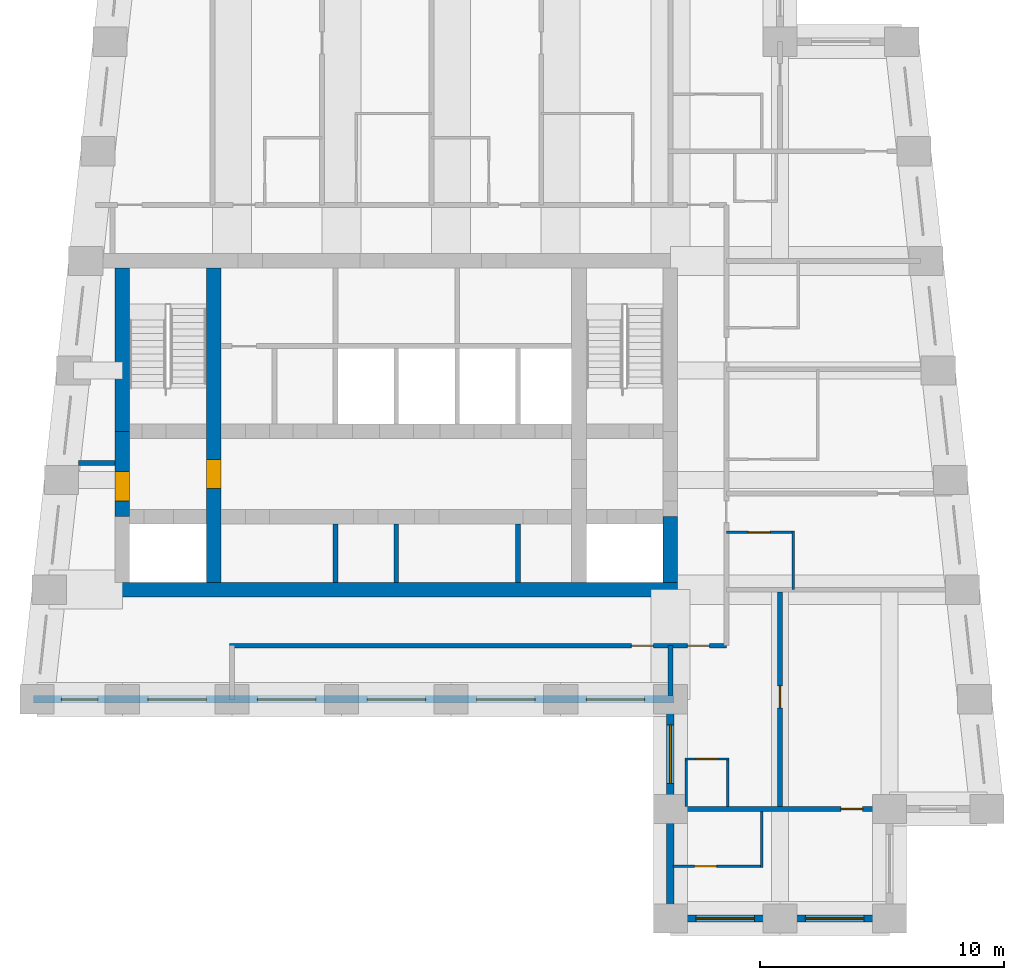
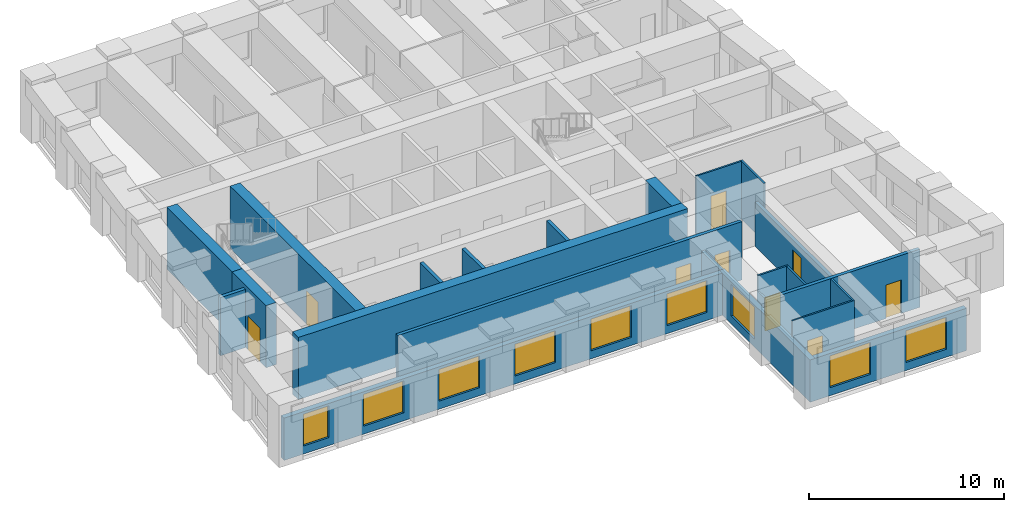
# One storey, part 2 of 7: 23 walls, 9 doors, 9 windows, 18 openings.
"""IFC4 building model written with IfcOpenShell, lengths in metres."""

import ifcopenshell
import ifcopenshell.guid

model = None  # the IFC model being written
_history = None  # IfcOwnerHistory: only IFC2X3 demands one
_inside = {}  # id of a spatial element -> (the spatial element, [elements in it])
_under = {}  # id of a project, library or spatial element -> (it, [spatial elements below it])
_declared = {}  # id of a project -> (the project, [libraries it declares])
_typed = {}  # id of a type object -> (the type object, [elements of that type])
_made_of = {}  # id of a material, layer set ... -> (it, [elements and type objects made of it])


def new_model(schema):
    """Start an empty IFC model of exactly this schema.

    Asked for "IFC4X3", IfcOpenShell would pick the latest addendum, in which some entities
    have other attributes; the version numbers below select the first issue.
    IFC2X3 requires an IfcOwnerHistory on every rooted entity: one is made here for all.
    """
    global model, _history
    if schema == "IFC4X3":
        model = ifcopenshell.file(schema_version=(4, 3, 0, 0))
    else:
        model = ifcopenshell.file(schema=schema)
    _inside.clear()
    _under.clear()
    _declared.clear()
    _typed.clear()
    _made_of.clear()
    _history = None
    if model.schema == "IFC2X3":
        org = make("IfcOrganization", Name="unknown")
        user = make(
            "IfcPersonAndOrganization",
            ThePerson=make("IfcPerson", FamilyName="unknown"),
            TheOrganization=org,
        )
        app = make(
            "IfcApplication",
            ApplicationDeveloper=org,
            Version="unknown",
            ApplicationFullName="unknown",
            ApplicationIdentifier="unknown",
        )
        _history = make(
            "IfcOwnerHistory",
            OwningUser=user,
            OwningApplication=app,
            ChangeAction="ADDED",
            CreationDate=0,
        )
    return model


def make(cls, **values):
    """One entity of the class cls with the attributes given. An attribute that is None is left unset."""
    return model.create_entity(
        cls, **{name: value for name, value in values.items() if value is not None}
    )


def rooted(cls, **values):
    """An entity with a GlobalId (a new one), such as an element, a storey or a relation."""
    return make(cls, GlobalId=ifcopenshell.guid.new(), OwnerHistory=_history, **values)


def si_unit(unit_type, name, prefix=None):
    """IfcSIUnit, for example si_unit("LENGTHUNIT", "METRE", prefix="MILLI")."""
    return make("IfcSIUnit", UnitType=unit_type, Prefix=prefix, Name=name)


def assignment(units):
    """IfcUnitAssignment: the units of a project."""
    return None if units is None else make("IfcUnitAssignment", Units=units)


def point(xyz):
    """IfcCartesianPoint."""
    return None if xyz is None else make("IfcCartesianPoint", Coordinates=xyz)


def direction(xyz):
    """IfcDirection."""
    return None if xyz is None else make("IfcDirection", DirectionRatios=xyz)


def frame(location, z_axis=None, x_axis=None):
    """IfcAxis2Placement3D, a coordinate frame: its origin and axes. An axis left out is left unset."""
    return make(
        "IfcAxis2Placement3D",
        Location=point(location),
        Axis=direction(z_axis),
        RefDirection=direction(x_axis),
    )


def frame_2d(location, x_axis=None):
    """IfcAxis2Placement2D, a coordinate frame in the plane: its origin and x axis."""
    return make(
        "IfcAxis2Placement2D", Location=point(location), RefDirection=direction(x_axis)
    )


def origin():
    """The frame at (0, 0, 0) with its axes left unset."""
    return frame((0.0, 0.0, 0.0))


def place(relative_to, where):
    """IfcLocalPlacement: puts the frame where relative to a parent placement (None: the world)."""
    return make(
        "IfcLocalPlacement", PlacementRelTo=relative_to, RelativePlacement=where
    )


def context(
    kind, dimensions, precision=None, world=None, true_north=None, identifier=None
):
    """IfcGeometricRepresentationContext, for example the 3D "Model" context."""
    return make(
        "IfcGeometricRepresentationContext",
        ContextIdentifier=identifier,
        ContextType=kind,
        CoordinateSpaceDimension=dimensions,
        Precision=precision,
        WorldCoordinateSystem=world,
        TrueNorth=true_north,
    )


def subcontext(parent, identifier, kind, view, scale=None):
    """IfcGeometricRepresentationSubContext, for example "Body" below "Model"."""
    return make(
        "IfcGeometricRepresentationSubContext",
        ContextIdentifier=identifier,
        ContextType=kind,
        ParentContext=parent,
        TargetScale=scale,
        TargetView=view,
    )


def project(units=None, contexts=None):
    """IfcProject with its units and contexts."""
    return rooted(
        "IfcProject",
        Name="project",
        RepresentationContexts=contexts,
        UnitsInContext=assignment(units),
    )


def spatial(cls, under=None, at=None, **own):
    """A site, building, storey or space (cls), placed at a placement, below another one or the project."""
    s = rooted(cls, ObjectPlacement=at, **own)
    if under is not None:
        _under.setdefault(under.id(), (under, []))[1].append(s)
    return s


def profile(cls, at=None, kind="AREA", **sizes):
    """A parametric profile (cls). Its sizes go by their IFC names, for example OverallWidth=200.0."""
    return make(cls, ProfileType=kind, Position=at, **sizes)


def rectangle(**sizes):
    """IfcRectangleProfileDef."""
    return profile("IfcRectangleProfileDef", **sizes)


def extrude(swept, where, along, depth):
    """IfcExtrudedAreaSolid: the profile swept, set in the frame where, extruded along a direction by depth."""
    return make(
        "IfcExtrudedAreaSolid",
        SweptArea=swept,
        Position=where,
        ExtrudedDirection=direction(along),
        Depth=depth,
    )


def shape(context_of_items, identifier, shape_type, items):
    """IfcShapeRepresentation: the items that make up one representation, for example the "Body"."""
    return make(
        "IfcShapeRepresentation",
        ContextOfItems=context_of_items,
        RepresentationIdentifier=identifier,
        RepresentationType=shape_type,
        Items=items,
    )


def material(Name=None, Category=None):
    """IfcMaterial."""
    return make("IfcMaterial", Name=Name, Category=Category)


def layer(
    of_material, thickness, ventilated=None, Name=None, Category=None, Priority=None
):
    """IfcMaterialLayer: one layer of a wall or slab, of a material (None: an air gap)."""
    return make(
        "IfcMaterialLayer",
        Material=of_material,
        LayerThickness=thickness,
        IsVentilated=ventilated,
        Name=Name,
        Category=Category,
        Priority=Priority,
    )


def layer_set(layers, Name=None):
    """IfcMaterialLayerSet."""
    return make("IfcMaterialLayerSet", MaterialLayers=layers, LayerSetName=Name)


def made_of(thing, what):
    """Note that an element or type object is made of a material, layer set ...; save() writes the relation."""
    if what is not None:
        _made_of.setdefault(what.id(), (what, []))[1].append(thing)
    return thing


def type_object(cls, material=None, **own):
    """A type object (cls), such as IfcWallType, which elements share."""
    return made_of(rooted(cls, **own), material)


def element(
    cls,
    number,
    at=None,
    inside=None,
    cuts=None,
    type_object=None,
    material=None,
    context=None,
    identifier="Body",
    shape_type=None,
    held_by="IfcProductDefinitionShape",
    body=None,
    shapes=None,
    **own,
):
    """One element of the class cls, such as IfcWall. Its Tag is "e" and its number.

    at: its placement. inside: the storey or other place that contains it. cuts: it is an
    opening in that element (IfcRelVoidsElement). A single representation is given by context,
    identifier, shape_type and body (its items); several are given by shapes. held_by: the class
    of the entity that holds the representations. save() writes the other relations.
    """
    e = rooted(cls, Tag="e%d" % number, ObjectPlacement=at, **own)
    if body is not None:
        shapes = [shape(context, identifier, shape_type, body)]
    if shapes is not None:
        e.Representation = make(held_by, Representations=shapes)
    if inside is not None:
        _inside.setdefault(inside.id(), (inside, []))[1].append(e)
    if cuts is not None:
        rooted(
            "IfcRelVoidsElement", RelatingBuildingElement=cuts, RelatedOpeningElement=e
        )
    if type_object is not None:
        _typed.setdefault(type_object.id(), (type_object, []))[1].append(e)
    return made_of(e, material)


def fill(opening, filler):
    """IfcRelFillsElement: the door or window that sits in an opening."""
    return rooted(
        "IfcRelFillsElement",
        RelatingOpeningElement=opening,
        RelatedBuildingElement=filler,
    )


def aggregate(whole, parts):
    """IfcRelAggregates: a whole, such as a stair, and the parts it consists of."""
    return rooted("IfcRelAggregates", RelatingObject=whole, RelatedObjects=parts)


def save(model, path):
    """Write the relations noted so far, then the file.

    IfcRelAggregates (storeys below a building ...), IfcRelContainedInSpatialStructure (elements
    in a storey), IfcRelDefinesByType, IfcRelAssociatesMaterial and IfcRelDeclares: one each for
    every whole, place, type object, material and project.
    """
    for whole, parts in _under.values():
        aggregate(whole, parts)
    for where, things in _inside.values():
        rooted(
            "IfcRelContainedInSpatialStructure",
            RelatedElements=things,
            RelatingStructure=where,
        )
    for kind, things in _typed.values():
        rooted("IfcRelDefinesByType", RelatedObjects=things, RelatingType=kind)
    for what, things in _made_of.values():
        rooted("IfcRelAssociatesMaterial", RelatedObjects=things, RelatingMaterial=what)
    for by, libraries in _declared.values():
        rooted("IfcRelDeclares", RelatingContext=by, RelatedDefinitions=libraries)
    model.write(path)


model = new_model("IFC4")

# Units and contexts
model_context = context("Model", 3, precision=1e-05, world=origin(), true_north=direction((0.0, 1.0)))
body_context = subcontext(model_context, "Body", "Model", "MODEL_VIEW")
ifc_project = project(units=[si_unit("LENGTHUNIT", "METRE"), si_unit("AREAUNIT", "SQUARE_METRE"), si_unit("VOLUMEUNIT", "CUBIC_METRE"), si_unit("PLANEANGLEUNIT", "RADIAN"), si_unit("MASSUNIT", "GRAM", prefix="KILO")], contexts=[model_context])

# Site, building, storey
site_placement = place(None, origin())
site = spatial("IfcSite", under=ifc_project, at=site_placement, CompositionType="ELEMENT")
building_placement = place(site_placement, origin())
building = spatial("IfcBuilding", under=site, at=building_placement, Name="Kilele Tower Hotel", CompositionType="ELEMENT")
storey_placement = place(building_placement, frame((0.0, 0.0, 266.300048828125)))
storey = spatial("IfcBuildingStorey", under=building, at=storey_placement, Name="L68", CompositionType="ELEMENT", Elevation=266.300048828125)

# Wall
ifc_material_1 = material(Name="Moisture-resistant board")
ifc_layer_1 = layer(ifc_material_1, 0.10009765625)
ifc_layer_set_1 = layer_set([ifc_layer_1], Name="Moisture-resistant board")
wall_type_1 = type_object("IfcWallType", Name="Bathroom partition 100", PredefinedType="PLUMBINGWALL", material=ifc_layer_set_1)
wall_1_placement = place(storey_placement, frame((41.050048828125, 13.5, 0.0), z_axis=(0.0, 0.0, 1.0), x_axis=(0.0, 1.0, 0.0)))
element("IfcWall", 1, at=wall_1_placement, inside=storey, type_object=wall_type_1, Name="Bathroom partition 100 L68", PredefinedType="PLUMBINGWALL", context=body_context, shape_type="SweptSolid", body=[
    extrude(rectangle(XDim=2.39990234375, YDim=0.10009765625, at=frame_2d((1.199951171875, 0.0))), origin(), (0.0, 0.0, 1.0), 3.64990234375),
])

# Wall, opening, door
wall_2_placement = place(storey_placement, frame((38.300048828125, 15.85009765625, 0.0), z_axis=(0.0, 0.0, 1.0), x_axis=(1.0, 0.0, 0.0)))
wall_2 = element("IfcWall", 2, at=wall_2_placement, inside=storey, type_object=wall_type_1, Name="Bathroom partition 100 L68", PredefinedType="PLUMBINGWALL", context=body_context, shape_type="SweptSolid", body=[
    extrude(rectangle(XDim=2.800048828125, YDim=0.10009765625, at=frame_2d((1.39990234375, 0.0))), origin(), (0.0, 0.0, 1.0), 3.64990234375),
])
opening_1_placement = place(wall_2_placement, frame((0.89990234375, 0.0, 0.0)))
opening_1 = element("IfcOpeningElement", 3, at=opening_1_placement, cuts=wall_2, Name="Opening D2A", PredefinedType="OPENING", context=body_context, shape_type="SweptSolid", body=[
    extrude(rectangle(XDim=0.89990234375, YDim=2.10009765625, at=frame_2d((0.449951171875, 1.050048828125))), frame((0.0, 0.06005859375, 0.0), z_axis=(0.0, -1.0, 0.0), x_axis=(1.0, 0.0, 0.0)), (0.0, 0.0, 1.0), 0.1201171875),
])
ifc_material_2 = material(Name="Timber door leaf in hardwood frame", Category="wood")
door_type_1 = type_object("IfcDoorType", Name="Bathroom door 900", OperationType="SINGLE_SWING_LEFT", PredefinedType="DOOR", material=ifc_material_2)
door_1_placement = place(opening_1_placement, origin())
door_1 = element("IfcDoor", 4, at=door_1_placement, inside=storey, type_object=door_type_1, Name="Bathroom door 6803B", OperationType="SINGLE_SWING_LEFT", OverallHeight=2.10009765625, OverallWidth=0.89990234375, PredefinedType="DOOR", context=body_context, shape_type="SweptSolid", body=[
    extrude(rectangle(XDim=0.89990234375, YDim=2.10009765625, at=frame_2d((0.449951171875, 1.050048828125))), frame((0.0, 0.02490234375, 0.0), z_axis=(0.0, -1.0, 0.0), x_axis=(1.0, 0.0, 0.0)), (0.0, 0.0, 1.0), 0.050048828125),
])
fill(opening_1, door_1)

# Walls
wall_3_placement = place(storey_placement, frame((38.35009765625, 4.60009765625, 0.0), z_axis=(0.0, 0.0, 1.0), x_axis=(0.0, 1.0, 0.0)))
element("IfcWall", 5, at=wall_3_placement, inside=storey, type_object=wall_type_1, Name="Bathroom partition 100 L68", PredefinedType="PLUMBINGWALL", context=body_context, shape_type="SweptSolid", body=[
    extrude(rectangle(XDim=2.0, YDim=0.10009765625, at=frame_2d((1.0, 0.0))), origin(), (0.0, 0.0, 1.0), 3.64990234375),
])
wall_4_placement = place(storey_placement, frame((36.64990234375, 4.60009765625, 0.0), z_axis=(0.0, 0.0, 1.0), x_axis=(0.0, 1.0, 0.0)))
element("IfcWall", 6, at=wall_4_placement, inside=storey, type_object=wall_type_1, Name="Bathroom partition 100 L68", PredefinedType="PLUMBINGWALL", context=body_context, shape_type="SweptSolid", body=[
    extrude(rectangle(XDim=2.0, YDim=0.10009765625, at=frame_2d((1.0, 0.0))), origin(), (0.0, 0.0, 1.0), 2.64990234375),
])

# Wall, opening, door
wall_5_placement = place(storey_placement, frame((36.60009765625, 6.550048828125, 0.0), z_axis=(0.0, 0.0, 1.0), x_axis=(1.0, 0.0, 0.0)))
wall_5 = element("IfcWall", 7, at=wall_5_placement, inside=storey, type_object=wall_type_1, Name="Bathroom partition 100 L68", PredefinedType="PLUMBINGWALL", context=body_context, shape_type="SweptSolid", body=[
    extrude(rectangle(XDim=1.7998046875, YDim=0.10009765625, at=frame_2d((0.89990234375, 0.0))), origin(), (0.0, 0.0, 1.0), 3.64990234375),
])
opening_2_placement = place(wall_5_placement, frame((0.449951171875, 0.0, 0.0)))
opening_2 = element("IfcOpeningElement", 8, at=opening_2_placement, cuts=wall_5, Name="Opening D2A", PredefinedType="OPENING", context=body_context, shape_type="SweptSolid", body=[
    extrude(rectangle(XDim=0.89990234375, YDim=2.10009765625, at=frame_2d((0.449951171875, 1.050048828125))), frame((0.0, 0.06005859375, 0.0), z_axis=(0.0, -1.0, 0.0), x_axis=(1.0, 0.0, 0.0)), (0.0, 0.0, 1.0), 0.1201171875),
])
door_2_placement = place(opening_2_placement, origin())
door_2 = element("IfcDoor", 9, at=door_2_placement, inside=storey, type_object=door_type_1, Name="Bathroom door 6811P", OperationType="SINGLE_SWING_LEFT", OverallHeight=2.10009765625, OverallWidth=0.89990234375, PredefinedType="DOOR", context=body_context, shape_type="SweptSolid", body=[
    extrude(rectangle(XDim=0.89990234375, YDim=2.10009765625, at=frame_2d((0.449951171875, 1.050048828125))), frame((0.0, 0.02490234375, 0.0), z_axis=(0.0, -1.0, 0.0), x_axis=(1.0, 0.0, 0.0)), (0.0, 0.0, 1.0), 0.050048828125),
])
fill(opening_2, door_2)

# Wall
wall_6_placement = place(storey_placement, frame((39.75, 4.39990234375, 0.0), z_axis=(0.0, 0.0, 1.0), x_axis=(0.0, -1.0, 0.0)))
element("IfcWall", 10, at=wall_6_placement, inside=storey, type_object=wall_type_1, Name="Bathroom partition 100 L68", PredefinedType="PLUMBINGWALL", context=body_context, shape_type="SweptSolid", body=[
    extrude(rectangle(XDim=2.2998046875, YDim=0.10009765625, at=frame_2d((1.14990234375, 0.0))), origin(), (0.0, 0.0, 1.0), 3.64990234375),
])

# Wall, opening, door
wall_7_placement = place(storey_placement, frame((36.10009765625, 2.14990234375, 0.0), z_axis=(0.0, 0.0, 1.0), x_axis=(1.0, 0.0, 0.0)))
wall_7 = element("IfcWall", 11, at=wall_7_placement, inside=storey, type_object=wall_type_1, Name="Bathroom partition 100 L68", PredefinedType="PLUMBINGWALL", context=body_context, shape_type="SweptSolid", body=[
    extrude(rectangle(XDim=3.699951171875, YDim=0.10009765625, at=frame_2d((1.85009765625, 0.0))), origin(), (0.0, 0.0, 1.0), 3.64990234375),
])
opening_3_placement = place(wall_7_placement, frame((1.7998046875, 0.0, 0.0), z_axis=(0.0, 0.0, 1.0), x_axis=(-1.0, 0.0, 0.0)))
opening_3 = element("IfcOpeningElement", 12, at=opening_3_placement, cuts=wall_7, Name="Opening D2A", PredefinedType="OPENING", context=body_context, shape_type="SweptSolid", body=[
    extrude(rectangle(XDim=0.89990234375, YDim=2.10009765625, at=frame_2d((0.449951171875, 1.050048828125))), frame((0.0, 0.06005859375, 0.0), z_axis=(0.0, -1.0, 0.0), x_axis=(1.0, 0.0, 0.0)), (0.0, 0.0, 1.0), 0.1201171875),
])
door_3_placement = place(opening_3_placement, origin())
door_3 = element("IfcDoor", 13, at=door_3_placement, inside=storey, type_object=door_type_1, Name="Bathroom door 6813B", OperationType="SINGLE_SWING_RIGHT", OverallHeight=2.10009765625, OverallWidth=0.89990234375, PredefinedType="DOOR", context=body_context, shape_type="SweptSolid", body=[
    extrude(rectangle(XDim=0.89990234375, YDim=2.10009765625, at=frame_2d((0.449951171875, 1.050048828125))), frame((0.0, 0.02490234375, 0.0), z_axis=(0.0, -1.0, 0.0), x_axis=(1.0, 0.0, 0.0)), (0.0, 0.0, 1.0), 0.050048828125),
])
fill(opening_3, door_3)

# Wall
ifc_material_3 = material(Name="Concrete C60/75", Category="concrete")
ifc_layer_2 = layer(ifc_material_3, 0.60009765625)
ifc_layer_set_2 = layer_set([ifc_layer_2], Name="Concrete C60/75")
wall_type_2 = type_object("IfcWallType", Name="Core wall 600 C60/75", PredefinedType="SHEAR", material=ifc_layer_set_2)
wall_8_placement = place(storey_placement, frame((13.199951171875, 13.5, 0.0), z_axis=(0.0, 0.0, 1.0), x_axis=(1.0, 0.0, 0.0)))
element("IfcWall", 14, at=wall_8_placement, inside=storey, type_object=wall_type_2, Name="Core wall S L68", PredefinedType="SHEAR", context=body_context, shape_type="SweptSolid", body=[
    extrude(rectangle(XDim=23.10009765625, YDim=0.60009765625, at=frame_2d((11.550048828125, 0.0))), origin(), (0.0, 0.0, 1.0), 3.89990234375),
])

# Wall, opening, door
wall_9_placement = place(storey_placement, frame((17.25, 13.800048828125, 0.0), z_axis=(0.0, 0.0, 1.0), x_axis=(0.0, 1.0, 0.0)))
wall_9 = element("IfcWall", 15, at=wall_9_placement, inside=storey, type_object=wall_type_2, Name="Core wall IW L68", PredefinedType="SHEAR", context=body_context, shape_type="SweptSolid", body=[
    extrude(rectangle(XDim=12.89990234375, YDim=0.60009765625, at=frame_2d((6.449951171875, 0.0))), origin(), (0.0, 0.0, 1.0), 3.89990234375),
])
opening_4_placement = place(wall_9_placement, frame((3.85009765625, 0.0, 0.0)))
opening_4 = element("IfcOpeningElement", 16, at=opening_4_placement, cuts=wall_9, Name="Opening D4", PredefinedType="OPENING", context=body_context, shape_type="SweptSolid", body=[
    extrude(rectangle(XDim=1.199951171875, YDim=2.10009765625, at=frame_2d((0.60009765625, 1.050048828125))), frame((0.0, 0.31005859375, 0.0), z_axis=(0.0, -1.0, 0.0), x_axis=(1.0, 0.0, 0.0)), (0.0, 0.0, 1.0), 0.6201171875),
])
ifc_material_4 = material(Name="Timber door leaf in hardwood frame", Category="wood")
door_type_2 = type_object("IfcDoorType", Name="Firefighting lobby door 1200", OperationType="SINGLE_SWING_LEFT", PredefinedType="DOOR", material=ifc_material_4)
door_4_placement = place(opening_4_placement, origin())
door_4 = element("IfcDoor", 17, at=door_4_placement, inside=storey, type_object=door_type_2, Name="Lobby door L68", OperationType="SINGLE_SWING_LEFT", OverallHeight=2.10009765625, OverallWidth=1.199951171875, PredefinedType="DOOR", context=body_context, shape_type="SweptSolid", body=[
    extrude(rectangle(XDim=1.199951171875, YDim=2.10009765625, at=frame_2d((0.60009765625, 1.050048828125))), frame((0.0, 0.2998046875, 0.0), z_axis=(0.0, -1.0, 0.0), x_axis=(1.0, 0.0, 0.0)), (0.0, 0.0, 1.0), 0.599609375),
])
fill(opening_4, door_4)

# Wall
wall_10_placement = place(storey_placement, frame((13.5, 26.699951171875, 0.0), z_axis=(0.0, 0.0, 1.0), x_axis=(0.0, -1.0, 0.0)))
element("IfcWall", 18, at=wall_10_placement, inside=storey, type_object=wall_type_2, Name="Core wall W1 L68", PredefinedType="SHEAR", context=body_context, shape_type="SweptSolid", body=[
    extrude(rectangle(XDim=6.699951171875, YDim=0.60009765625, at=frame_2d((3.35009765625, 0.0))), origin(), (0.0, 0.0, 1.0), 3.89990234375),
])

# Wall, opening, door
wall_11_placement = place(storey_placement, frame((13.5, 20.0, 0.0), z_axis=(0.0, 0.0, 1.0), x_axis=(0.0, -1.0, 0.0)))
wall_11 = element("IfcWall", 19, at=wall_11_placement, inside=storey, type_object=wall_type_2, Name="Core wall W2 L68", PredefinedType="SHEAR", context=body_context, shape_type="SweptSolid", body=[
    extrude(rectangle(XDim=3.5, YDim=0.60009765625, at=frame_2d((1.75, 0.0))), origin(), (0.0, 0.0, 1.0), 3.89990234375),
])
opening_5_placement = place(wall_11_placement, frame((1.64990234375, 0.0, 0.0)))
opening_5 = element("IfcOpeningElement", 20, at=opening_5_placement, cuts=wall_11, Name="Opening D4", PredefinedType="OPENING", context=body_context, shape_type="SweptSolid", body=[
    extrude(rectangle(XDim=1.199951171875, YDim=2.10009765625, at=frame_2d((0.60009765625, 1.050048828125))), frame((0.0, 0.31005859375, 0.0), z_axis=(0.0, -1.0, 0.0), x_axis=(1.0, 0.0, 0.0)), (0.0, 0.0, 1.0), 0.6201171875),
])
door_5_placement = place(opening_5_placement, origin())
door_5 = element("IfcDoor", 21, at=door_5_placement, inside=storey, type_object=door_type_2, Name="Lobby door L68", OperationType="SINGLE_SWING_RIGHT", OverallHeight=2.10009765625, OverallWidth=1.199951171875, PredefinedType="DOOR", context=body_context, shape_type="SweptSolid", body=[
    extrude(rectangle(XDim=1.199951171875, YDim=2.10009765625, at=frame_2d((0.60009765625, 1.050048828125))), frame((0.0, 0.2998046875, 0.0), z_axis=(0.0, -1.0, 0.0), x_axis=(1.0, 0.0, 0.0)), (0.0, 0.0, 1.0), 0.599609375),
])
fill(opening_5, door_5)

# Wall
wall_12_placement = place(storey_placement, frame((36.0, 13.800048828125, 0.0), z_axis=(0.0, 0.0, 1.0), x_axis=(0.0, 1.0, 0.0)))
element("IfcWall", 22, at=wall_12_placement, inside=storey, type_object=wall_type_2, Name="Core wall E1 L68", PredefinedType="SHEAR", context=body_context, shape_type="SweptSolid", body=[
    extrude(rectangle(XDim=2.699951171875, YDim=0.60009765625, at=frame_2d((1.35009765625, 0.0))), origin(), (0.0, 0.0, 1.0), 3.89990234375),
])

# Wall, openings, doors
ifc_material_5 = material(Name="Blockwork, plastered both sides", Category="masonry")
ifc_layer_3 = layer(ifc_material_5, 0.199951171875)
ifc_layer_set_3 = layer_set([ifc_layer_3], Name="Blockwork, plastered both sides")
wall_type_3 = type_object("IfcWallType", Name="Corridor wall 200", PredefinedType="PARTITIONING", material=ifc_layer_set_3)
wall_13_placement = place(storey_placement, frame((17.89990234375, 11.199951171875, 0.0), z_axis=(0.0, 0.0, 1.0), x_axis=(1.0, 0.0, 0.0)))
wall_13 = element("IfcWall", 23, at=wall_13_placement, inside=storey, type_object=wall_type_3, Name="Corridor wall 200 L68", PredefinedType="PARTITIONING", context=body_context, shape_type="SweptSolid", body=[
    extrude(rectangle(XDim=20.400146484375, YDim=0.199951171875, at=frame_2d((10.2001953125, 0.0))), origin(), (0.0, 0.0, 1.0), 3.64990234375),
])
opening_6_placement = place(wall_13_placement, frame((17.39990234375, 0.0, 0.0), z_axis=(0.0, 0.0, 1.0), x_axis=(-1.0, 0.0, 0.0)))
opening_6 = element("IfcOpeningElement", 24, at=opening_6_placement, cuts=wall_13, Name="Opening D1", PredefinedType="OPENING", context=body_context, shape_type="SweptSolid", body=[
    extrude(rectangle(XDim=0.89990234375, YDim=2.10009765625, at=frame_2d((0.449951171875, 1.050048828125))), frame((0.0, 0.10986328125, 0.0), z_axis=(0.0, -1.0, 0.0), x_axis=(1.0, 0.0, 0.0)), (0.0, 0.0, 1.0), 0.219970703125),
])
opening_7_placement = place(wall_13_placement, frame((19.699951171875, 0.0, 0.0), z_axis=(0.0, 0.0, 1.0), x_axis=(-1.0, 0.0, 0.0)))
opening_7 = element("IfcOpeningElement", 25, at=opening_7_placement, cuts=wall_13, Name="Opening D1", PredefinedType="OPENING", context=body_context, shape_type="SweptSolid", body=[
    extrude(rectangle(XDim=0.89990234375, YDim=2.10009765625, at=frame_2d((0.449951171875, 1.050048828125))), frame((0.0, 0.10986328125, 0.0), z_axis=(0.0, -1.0, 0.0), x_axis=(1.0, 0.0, 0.0)), (0.0, 0.0, 1.0), 0.219970703125),
])
ifc_material_6 = material(Name="Timber door leaf in hardwood frame", Category="wood")
door_type_3 = type_object("IfcDoorType", Name="Guest room entrance door 900", OperationType="SINGLE_SWING_LEFT", PredefinedType="DOOR", material=ifc_material_6)
door_6_placement = place(opening_6_placement, origin())
door_6 = element("IfcDoor", 26, at=door_6_placement, inside=storey, type_object=door_type_3, Name="Room entrance 6802", OperationType="SINGLE_SWING_LEFT", OverallHeight=2.10009765625, OverallWidth=0.89990234375, PredefinedType="DOOR", context=body_context, shape_type="SweptSolid", body=[
    extrude(rectangle(XDim=0.89990234375, YDim=2.10009765625, at=frame_2d((0.449951171875, 1.050048828125))), frame((0.0, 0.02490234375, 0.0), z_axis=(0.0, -1.0, 0.0), x_axis=(1.0, 0.0, 0.0)), (0.0, 0.0, 1.0), 0.050048828125),
])
fill(opening_6, door_6)
door_7_placement = place(opening_7_placement, origin())
door_7 = element("IfcDoor", 27, at=door_7_placement, inside=storey, type_object=door_type_3, Name="Room entrance 6811", OperationType="SINGLE_SWING_RIGHT", OverallHeight=2.10009765625, OverallWidth=0.89990234375, PredefinedType="DOOR", context=body_context, shape_type="SweptSolid", body=[
    extrude(rectangle(XDim=0.89990234375, YDim=2.10009765625, at=frame_2d((0.449951171875, 1.050048828125))), frame((0.0, 0.02490234375, 0.0), z_axis=(0.0, -1.0, 0.0), x_axis=(1.0, 0.0, 0.0)), (0.0, 0.0, 1.0), 0.050048828125),
])
fill(opening_7, door_7)

# Wall
ifc_material_7 = material(Name="Blockwork, plastered both sides", Category="masonry")
ifc_layer_4 = layer(ifc_material_7, 0.199951171875)
ifc_layer_set_4 = layer_set([ifc_layer_4], Name="Blockwork, plastered both sides")
wall_type_4 = type_object("IfcWallType", Name="Partition wall 200", PredefinedType="PARTITIONING", material=ifc_layer_set_4)
wall_14_placement = place(storey_placement, frame((13.199951171875, 18.699951171875, 0.0), z_axis=(0.0, 0.0, 1.0), x_axis=(-1.0, 0.0, 0.0)))
element("IfcWall", 28, at=wall_14_placement, inside=storey, type_object=wall_type_4, Name="Partition wall 200 L68", PredefinedType="PARTITIONING", context=body_context, shape_type="SweptSolid", body=[
    extrude(rectangle(XDim=1.5, YDim=0.199951171875, at=frame_2d((0.75, 0.0))), origin(), (0.0, 0.0, 1.0), 3.64990234375),
])

# Wall, opening, door
wall_15_placement = place(storey_placement, frame((40.5, 4.60009765625, 0.0), z_axis=(0.0, 0.0, 1.0), x_axis=(0.0, 1.0, 0.0)))
wall_15 = element("IfcWall", 29, at=wall_15_placement, inside=storey, type_object=wall_type_4, Name="Partition wall 200 L68", PredefinedType="PARTITIONING", context=body_context, shape_type="SweptSolid", body=[
    extrude(rectangle(XDim=8.7998046875, YDim=0.199951171875, at=frame_2d((4.39990234375, 0.0))), origin(), (0.0, 0.0, 1.0), 2.75),
])
opening_8_placement = place(wall_15_placement, frame((4.050048828125, 0.0, 0.0)))
opening_8 = element("IfcOpeningElement", 30, at=opening_8_placement, cuts=wall_15, Name="Opening D3", PredefinedType="OPENING", context=body_context, shape_type="SweptSolid", body=[
    extrude(rectangle(XDim=0.89990234375, YDim=2.10009765625, at=frame_2d((0.449951171875, 1.050048828125))), frame((0.0, 0.10986328125, 0.0), z_axis=(0.0, -1.0, 0.0), x_axis=(1.0, 0.0, 0.0)), (0.0, 0.0, 1.0), 0.219970703125),
])
ifc_material_8 = material(Name="Timber door leaf in hardwood frame", Category="wood")
door_type_4 = type_object("IfcDoorType", Name="Suite internal door 900", OperationType="SINGLE_SWING_LEFT", PredefinedType="DOOR", material=ifc_material_8)
door_8_placement = place(opening_8_placement, origin())
door_8 = element("IfcDoor", 31, at=door_8_placement, inside=storey, type_object=door_type_4, Name="Suite door 6812", OperationType="SINGLE_SWING_RIGHT", OverallHeight=2.10009765625, OverallWidth=0.89990234375, PredefinedType="DOOR", context=body_context, shape_type="SweptSolid", body=[
    extrude(rectangle(XDim=0.89990234375, YDim=2.10009765625, at=frame_2d((0.449951171875, 1.050048828125))), frame((0.0, 0.02490234375, 0.0), z_axis=(0.0, -1.0, 0.0), x_axis=(1.0, 0.0, 0.0)), (0.0, 0.0, 1.0), 0.050048828125),
])
fill(opening_8, door_8)

# Wall
ifc_material_9 = material(Name="Blockwork, plastered both sides", Category="masonry")
ifc_layer_5 = layer(ifc_material_9, 0.199951171875)
ifc_layer_set_5 = layer_set([ifc_layer_5], Name="Blockwork, plastered both sides")
wall_type_5 = type_object("IfcWallType", Name="Party wall 200", PredefinedType="PARTITIONING", material=ifc_layer_set_5)
wall_16_placement = place(storey_placement, frame((36.0, 11.199951171875, 0.0), z_axis=(0.0, 0.0, 1.0), x_axis=(0.0, -1.0, 0.0)))
element("IfcWall", 32, at=wall_16_placement, inside=storey, type_object=wall_type_5, Name="Party wall 200 L68", PredefinedType="PARTITIONING", context=body_context, shape_type="SweptSolid", body=[
    extrude(rectangle(XDim=2.050048828125, YDim=0.199951171875, at=frame_2d((1.02490234375, 0.0))), origin(), (0.0, 0.0, 1.0), 2.64990234375),
])

# Wall, opening, door
wall_17_placement = place(storey_placement, frame((35.89990234375, 4.5, 0.0), z_axis=(0.0, 0.0, 1.0), x_axis=(1.0, 0.0, 0.0)))
wall_17 = element("IfcWall", 33, at=wall_17_placement, inside=storey, type_object=wall_type_5, Name="Party wall 200 L68", PredefinedType="PARTITIONING", context=body_context, shape_type="SweptSolid", body=[
    extrude(rectangle(XDim=9.10009765625, YDim=0.199951171875, at=frame_2d((4.550048828125, 0.0))), origin(), (0.0, 0.0, 1.0), 3.64990234375),
])
opening_9_placement = place(wall_17_placement, frame((7.10009765625, 0.0, 0.0)))
opening_9 = element("IfcOpeningElement", 34, at=opening_9_placement, cuts=wall_17, Name="Opening D3", PredefinedType="OPENING", context=body_context, shape_type="SweptSolid", body=[
    extrude(rectangle(XDim=0.89990234375, YDim=2.10009765625, at=frame_2d((0.449951171875, 1.050048828125))), frame((0.0, 0.10986328125, 0.0), z_axis=(0.0, -1.0, 0.0), x_axis=(1.0, 0.0, 0.0)), (0.0, 0.0, 1.0), 0.219970703125),
])
door_9_placement = place(opening_9_placement, origin())
door_9 = element("IfcDoor", 35, at=door_9_placement, inside=storey, type_object=door_type_4, Name="Suite door 6813", OperationType="SINGLE_SWING_RIGHT", OverallHeight=2.10009765625, OverallWidth=0.89990234375, PredefinedType="DOOR", context=body_context, shape_type="SweptSolid", body=[
    extrude(rectangle(XDim=0.89990234375, YDim=2.10009765625, at=frame_2d((0.449951171875, 1.050048828125))), frame((0.0, 0.02490234375, 0.0), z_axis=(0.0, -1.0, 0.0), x_axis=(1.0, 0.0, 0.0)), (0.0, 0.0, 1.0), 0.050048828125),
])
fill(opening_9, door_9)

# Wall, openings, windows
ifc_material_10 = material(Name="Concrete C40/50 precast", Category="concrete")
ifc_layer_6 = layer(ifc_material_10, 0.260009765625, Name="Precast backing", Category="LoadBearing")
ifc_material_11 = material(Name="Reconstituted stone finish", Category="masonry")
ifc_layer_7 = layer(ifc_material_11, 0.0400390625, Name="Face mix", Category="Finish")
ifc_layer_set_6 = layer_set([ifc_layer_6, ifc_layer_7], Name="Precast concrete C40/50, reconstituted stone finish")
wall_type_6 = type_object("IfcWallType", Name="Precast stone facade wall 300", PredefinedType="STANDARD", material=ifc_layer_set_6)
wall_18_placement = place(storey_placement, frame((9.85009765625, 9.0, 0.0), z_axis=(0.0, 0.0, 1.0), x_axis=(1.0, 0.0, 0.0)))
wall_18 = element("IfcWall", 36, at=wall_18_placement, inside=storey, type_object=wall_type_6, Name="Facade wall L68 edge 1", PredefinedType="STANDARD", context=body_context, shape_type="SweptSolid", body=[
    extrude(rectangle(XDim=26.2998046875, YDim=0.300048828125, at=frame_2d((13.14990234375, 0.0))), origin(), (0.0, 0.0, 1.0), 2.64990234375),
])
opening_10_placement = place(wall_18_placement, frame((1.14990234375, 0.0, 0.5)))
opening_10 = element("IfcOpeningElement", 37, at=opening_10_placement, cuts=wall_18, Name="Opening W4", PredefinedType="OPENING", context=body_context, shape_type="SweptSolid", body=[
    extrude(rectangle(XDim=1.5, YDim=2.0, at=frame_2d((0.75, 1.0))), frame((0.0, 0.159912109375, 0.0), z_axis=(0.0, -1.0, 0.0), x_axis=(1.0, 0.0, 0.0)), (0.0, 0.0, 1.0), 0.320068359375),
])
opening_11_placement = place(wall_18_placement, frame((4.699951171875, 0.0, 0.5)))
opening_11 = element("IfcOpeningElement", 38, at=opening_11_placement, cuts=wall_18, Name="Opening W4", PredefinedType="OPENING", context=body_context, shape_type="SweptSolid", body=[
    extrude(rectangle(XDim=2.39990234375, YDim=2.0, at=frame_2d((1.199951171875, 1.0))), frame((0.0, 0.159912109375, 0.0), z_axis=(0.0, -1.0, 0.0), x_axis=(1.0, 0.0, 0.0)), (0.0, 0.0, 1.0), 0.320068359375),
])
opening_12_placement = place(wall_18_placement, frame((9.199951171875, 0.0, 0.5)))
opening_12 = element("IfcOpeningElement", 39, at=opening_12_placement, cuts=wall_18, Name="Opening W4", PredefinedType="OPENING", context=body_context, shape_type="SweptSolid", body=[
    extrude(rectangle(XDim=2.39990234375, YDim=2.0, at=frame_2d((1.199951171875, 1.0))), frame((0.0, 0.159912109375, 0.0), z_axis=(0.0, -1.0, 0.0), x_axis=(1.0, 0.0, 0.0)), (0.0, 0.0, 1.0), 0.320068359375),
])
opening_13_placement = place(wall_18_placement, frame((13.699951171875, 0.0, 0.5)))
opening_13 = element("IfcOpeningElement", 40, at=opening_13_placement, cuts=wall_18, Name="Opening W4", PredefinedType="OPENING", context=body_context, shape_type="SweptSolid", body=[
    extrude(rectangle(XDim=2.39990234375, YDim=2.0, at=frame_2d((1.199951171875, 1.0))), frame((0.0, 0.159912109375, 0.0), z_axis=(0.0, -1.0, 0.0), x_axis=(1.0, 0.0, 0.0)), (0.0, 0.0, 1.0), 0.320068359375),
])
opening_14_placement = place(wall_18_placement, frame((18.199951171875, 0.0, 0.5)))
opening_14 = element("IfcOpeningElement", 41, at=opening_14_placement, cuts=wall_18, Name="Opening W4", PredefinedType="OPENING", context=body_context, shape_type="SweptSolid", body=[
    extrude(rectangle(XDim=2.39990234375, YDim=2.0, at=frame_2d((1.199951171875, 1.0))), frame((0.0, 0.159912109375, 0.0), z_axis=(0.0, -1.0, 0.0), x_axis=(1.0, 0.0, 0.0)), (0.0, 0.0, 1.0), 0.320068359375),
])
opening_15_placement = place(wall_18_placement, frame((22.699951171875, 0.0, 0.5)))
opening_15 = element("IfcOpeningElement", 42, at=opening_15_placement, cuts=wall_18, Name="Opening W4", PredefinedType="OPENING", context=body_context, shape_type="SweptSolid", body=[
    extrude(rectangle(XDim=2.39990234375, YDim=2.0, at=frame_2d((1.199951171875, 1.0))), frame((0.0, 0.159912109375, 0.0), z_axis=(0.0, -1.0, 0.0), x_axis=(1.0, 0.0, 0.0)), (0.0, 0.0, 1.0), 0.320068359375),
])
ifc_material_12 = material(Name="Aluminium frame, clear double glazing", Category="aluminium")
window_type_1 = type_object("IfcWindowType", Name="Window W4 1500 x 2000", PartitioningType="SINGLE_PANEL", PredefinedType="WINDOW", material=ifc_material_12)
window_1_placement = place(opening_10_placement, origin())
window_1 = element("IfcWindow", 43, at=window_1_placement, inside=storey, type_object=window_type_1, Name="Window L68", OverallHeight=2.0, OverallWidth=1.5, PartitioningType="SINGLE_PANEL", PredefinedType="WINDOW", context=body_context, shape_type="SweptSolid", body=[
    extrude(rectangle(XDim=1.5, YDim=2.0, at=frame_2d((0.75, 1.0))), frame((0.0, 0.030029296875, 0.0), z_axis=(0.0, -1.0, 0.0), x_axis=(1.0, 0.0, 0.0)), (0.0, 0.0, 1.0), 0.06005859375),
])
fill(opening_10, window_1)
ifc_material_13 = material(Name="Aluminium frame, clear double glazing", Category="aluminium")
window_type_2 = type_object("IfcWindowType", Name="Window W4 2400 x 2000", PartitioningType="SINGLE_PANEL", PredefinedType="WINDOW", material=ifc_material_13)
window_2_placement = place(opening_11_placement, origin())
window_2 = element("IfcWindow", 44, at=window_2_placement, inside=storey, type_object=window_type_2, Name="Window L68", OverallHeight=2.0, OverallWidth=2.39990234375, PartitioningType="SINGLE_PANEL", PredefinedType="WINDOW", context=body_context, shape_type="SweptSolid", body=[
    extrude(rectangle(XDim=2.39990234375, YDim=2.0, at=frame_2d((1.199951171875, 1.0))), frame((0.0, 0.030029296875, 0.0), z_axis=(0.0, -1.0, 0.0), x_axis=(1.0, 0.0, 0.0)), (0.0, 0.0, 1.0), 0.06005859375),
])
fill(opening_11, window_2)
window_3_placement = place(opening_12_placement, origin())
window_3 = element("IfcWindow", 45, at=window_3_placement, inside=storey, type_object=window_type_2, Name="Window L68", OverallHeight=2.0, OverallWidth=2.39990234375, PartitioningType="SINGLE_PANEL", PredefinedType="WINDOW", context=body_context, shape_type="SweptSolid", body=[
    extrude(rectangle(XDim=2.39990234375, YDim=2.0, at=frame_2d((1.199951171875, 1.0))), frame((0.0, 0.030029296875, 0.0), z_axis=(0.0, -1.0, 0.0), x_axis=(1.0, 0.0, 0.0)), (0.0, 0.0, 1.0), 0.06005859375),
])
fill(opening_12, window_3)
window_4_placement = place(opening_13_placement, origin())
window_4 = element("IfcWindow", 46, at=window_4_placement, inside=storey, type_object=window_type_2, Name="Window L68", OverallHeight=2.0, OverallWidth=2.39990234375, PartitioningType="SINGLE_PANEL", PredefinedType="WINDOW", context=body_context, shape_type="SweptSolid", body=[
    extrude(rectangle(XDim=2.39990234375, YDim=2.0, at=frame_2d((1.199951171875, 1.0))), frame((0.0, 0.030029296875, 0.0), z_axis=(0.0, -1.0, 0.0), x_axis=(1.0, 0.0, 0.0)), (0.0, 0.0, 1.0), 0.06005859375),
])
fill(opening_13, window_4)
window_5_placement = place(opening_14_placement, origin())
window_5 = element("IfcWindow", 47, at=window_5_placement, inside=storey, type_object=window_type_2, Name="Window L68", OverallHeight=2.0, OverallWidth=2.39990234375, PartitioningType="SINGLE_PANEL", PredefinedType="WINDOW", context=body_context, shape_type="SweptSolid", body=[
    extrude(rectangle(XDim=2.39990234375, YDim=2.0, at=frame_2d((1.199951171875, 1.0))), frame((0.0, 0.030029296875, 0.0), z_axis=(0.0, -1.0, 0.0), x_axis=(1.0, 0.0, 0.0)), (0.0, 0.0, 1.0), 0.06005859375),
])
fill(opening_14, window_5)
window_6_placement = place(opening_15_placement, origin())
window_6 = element("IfcWindow", 48, at=window_6_placement, inside=storey, type_object=window_type_2, Name="Window L68", OverallHeight=2.0, OverallWidth=2.39990234375, PartitioningType="SINGLE_PANEL", PredefinedType="WINDOW", context=body_context, shape_type="SweptSolid", body=[
    extrude(rectangle(XDim=2.39990234375, YDim=2.0, at=frame_2d((1.199951171875, 1.0))), frame((0.0, 0.030029296875, 0.0), z_axis=(0.0, -1.0, 0.0), x_axis=(1.0, 0.0, 0.0)), (0.0, 0.0, 1.0), 0.06005859375),
])
fill(opening_15, window_6)

# Wall, opening, window
wall_19_placement = place(storey_placement, frame((36.0, 9.14990234375, 0.0), z_axis=(0.0, 0.0, 1.0), x_axis=(0.0, -1.0, 0.0)))
wall_19 = element("IfcWall", 49, at=wall_19_placement, inside=storey, type_object=wall_type_6, Name="Facade wall L68 edge 2", PredefinedType="STANDARD", context=body_context, shape_type="SweptSolid", body=[
    extrude(rectangle(XDim=9.2998046875, YDim=0.300048828125, at=frame_2d((4.64990234375, 0.0))), origin(), (0.0, 0.0, 1.0), 2.64990234375),
])
opening_16_placement = place(wall_19_placement, frame((1.199951171875, 0.0, 0.5)))
opening_16 = element("IfcOpeningElement", 50, at=opening_16_placement, cuts=wall_19, Name="Opening W4", PredefinedType="OPENING", context=body_context, shape_type="SweptSolid", body=[
    extrude(rectangle(XDim=2.39990234375, YDim=2.0, at=frame_2d((1.199951171875, 1.0))), frame((0.0, 0.159912109375, 0.0), z_axis=(0.0, -1.0, 0.0), x_axis=(1.0, 0.0, 0.0)), (0.0, 0.0, 1.0), 0.320068359375),
])
window_7_placement = place(opening_16_placement, origin())
window_7 = element("IfcWindow", 51, at=window_7_placement, inside=storey, type_object=window_type_2, Name="Window L68", OverallHeight=2.0, OverallWidth=2.39990234375, PartitioningType="SINGLE_PANEL", PredefinedType="WINDOW", context=body_context, shape_type="SweptSolid", body=[
    extrude(rectangle(XDim=2.39990234375, YDim=2.0, at=frame_2d((1.199951171875, 1.0))), frame((0.0, 0.030029296875, 0.0), z_axis=(0.0, -1.0, 0.0), x_axis=(1.0, 0.0, 0.0)), (0.0, 0.0, 1.0), 0.06005859375),
])
fill(opening_16, window_7)

# Wall, openings, windows
wall_20_placement = place(storey_placement, frame((35.85009765625, 0.0, 0.0), z_axis=(0.0, 0.0, 1.0), x_axis=(1.0, 0.0, 0.0)))
wall_20 = element("IfcWall", 52, at=wall_20_placement, inside=storey, type_object=wall_type_6, Name="Facade wall L68 edge 3", PredefinedType="STANDARD", context=body_context, shape_type="SweptSolid", body=[
    extrude(rectangle(XDim=9.2998046875, YDim=0.300048828125, at=frame_2d((4.64990234375, 0.0))), origin(), (0.0, 0.0, 1.0), 2.64990234375),
])
opening_17_placement = place(wall_20_placement, frame((1.199951171875, 0.0, 0.5)))
opening_17 = element("IfcOpeningElement", 53, at=opening_17_placement, cuts=wall_20, Name="Opening W4", PredefinedType="OPENING", context=body_context, shape_type="SweptSolid", body=[
    extrude(rectangle(XDim=2.39990234375, YDim=2.0, at=frame_2d((1.199951171875, 1.0))), frame((0.0, 0.159912109375, 0.0), z_axis=(0.0, -1.0, 0.0), x_axis=(1.0, 0.0, 0.0)), (0.0, 0.0, 1.0), 0.320068359375),
])
opening_18_placement = place(wall_20_placement, frame((5.699951171875, 0.0, 0.5)))
opening_18 = element("IfcOpeningElement", 54, at=opening_18_placement, cuts=wall_20, Name="Opening W4", PredefinedType="OPENING", context=body_context, shape_type="SweptSolid", body=[
    extrude(rectangle(XDim=2.39990234375, YDim=2.0, at=frame_2d((1.199951171875, 1.0))), frame((0.0, 0.159912109375, 0.0), z_axis=(0.0, -1.0, 0.0), x_axis=(1.0, 0.0, 0.0)), (0.0, 0.0, 1.0), 0.320068359375),
])
window_8_placement = place(opening_17_placement, origin())
window_8 = element("IfcWindow", 55, at=window_8_placement, inside=storey, type_object=window_type_2, Name="Window L68", OverallHeight=2.0, OverallWidth=2.39990234375, PartitioningType="SINGLE_PANEL", PredefinedType="WINDOW", context=body_context, shape_type="SweptSolid", body=[
    extrude(rectangle(XDim=2.39990234375, YDim=2.0, at=frame_2d((1.199951171875, 1.0))), frame((0.0, 0.030029296875, 0.0), z_axis=(0.0, -1.0, 0.0), x_axis=(1.0, 0.0, 0.0)), (0.0, 0.0, 1.0), 0.06005859375),
])
fill(opening_17, window_8)
window_9_placement = place(opening_18_placement, origin())
window_9 = element("IfcWindow", 56, at=window_9_placement, inside=storey, type_object=window_type_2, Name="Window L68", OverallHeight=2.0, OverallWidth=2.39990234375, PartitioningType="SINGLE_PANEL", PredefinedType="WINDOW", context=body_context, shape_type="SweptSolid", body=[
    extrude(rectangle(XDim=2.39990234375, YDim=2.0, at=frame_2d((1.199951171875, 1.0))), frame((0.0, 0.030029296875, 0.0), z_axis=(0.0, -1.0, 0.0), x_axis=(1.0, 0.0, 0.0)), (0.0, 0.0, 1.0), 0.06005859375),
])
fill(opening_18, window_9)

# Walls
ifc_material_14 = material(Name="Blockwork, fire-rated", Category="masonry")
ifc_layer_8 = layer(ifc_material_14, 0.199951171875)
ifc_layer_set_7 = layer_set([ifc_layer_8], Name="Blockwork, fire-rated")
wall_type_7 = type_object("IfcWallType", Name="Shaft wall 200", PredefinedType="PARTITIONING", material=ifc_layer_set_7)
for number, where, z_axis, x_axis, name in (
    (57, (22.25, 13.800048828125, 0.0), (0.0, 0.0, 1.0), (0.0, 1.0, 0.0), "Shaft wall 200 L68"),
    (58, (24.75, 13.800048828125, 0.0), (0.0, 0.0, 1.0), (0.0, 1.0, 0.0), "Shaft wall 200 L68"),
    (59, (29.75, 13.800048828125, 0.0), (0.0, 0.0, 1.0), (0.0, 1.0, 0.0), "Shaft wall 200 L68"),
):
    element("IfcWall", number, at=place(storey_placement, frame(where, z_axis=z_axis, x_axis=x_axis)), inside=storey, type_object=wall_type_7, Name=name, PredefinedType="PARTITIONING", context=body_context, shape_type="SweptSolid", body=[
        extrude(rectangle(XDim=2.39990234375, YDim=0.199951171875, at=frame_2d((1.199951171875, 0.0))), origin(), (0.0, 0.0, 1.0), 3.64990234375),
    ])

save(model, "model.ifc")
